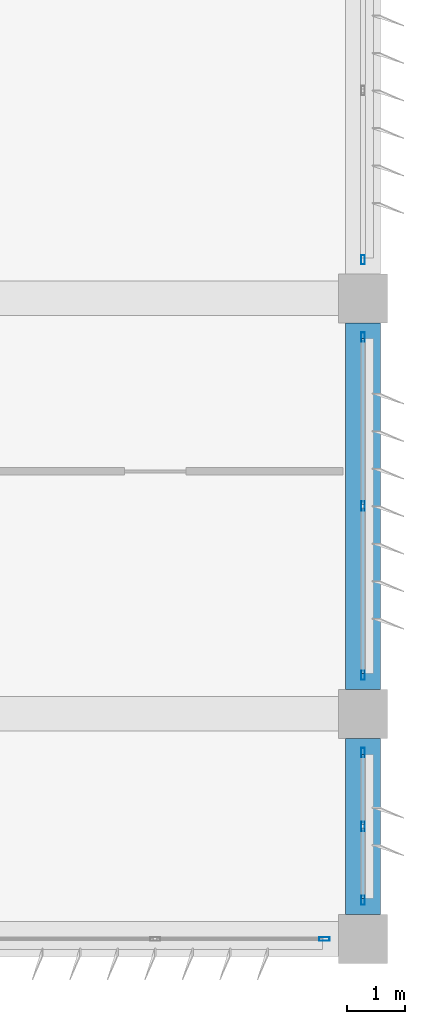
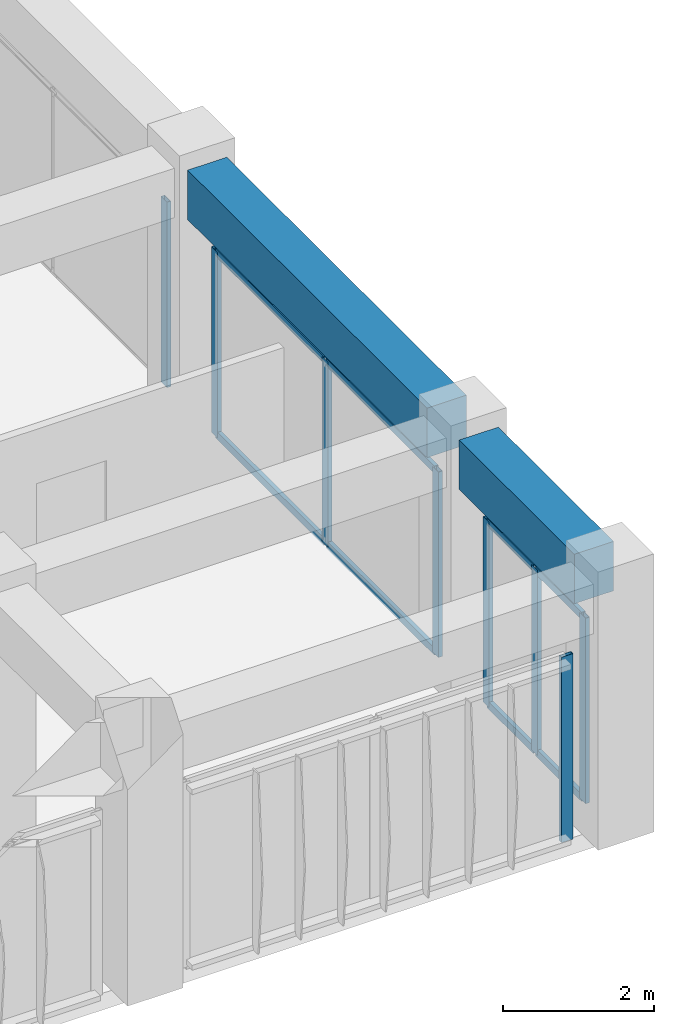
# One storey, part 21 of 48: 16 members, 2 beams, 4 elements without a shape of their own.
"""IFC4 building model written with IfcOpenShell, lengths in metres."""

from ifc_helpers import new_model, si_unit, direction, frame, origin, origin_2d, place, context, subcontext, project, spatial, rectangle, hollow_rectangle, extrude, material, material_profile, profile_set, type_object, element, aggregate, save


model = new_model("IFC4")

# Units and contexts
model_context = context("Model", 3, precision=1e-05, world=origin(), true_north=direction((0.0, 1.0)))
body_context = subcontext(model_context, "Body", "Model", "MODEL_VIEW")
ifc_project = project(units=[si_unit("LENGTHUNIT", "METRE"), si_unit("AREAUNIT", "SQUARE_METRE"), si_unit("VOLUMEUNIT", "CUBIC_METRE"), si_unit("PLANEANGLEUNIT", "RADIAN"), si_unit("MASSUNIT", "GRAM", prefix="KILO")], contexts=[model_context])

# Site, building, storey
site_placement = place(None, origin())
site = spatial("IfcSite", under=ifc_project, at=site_placement, CompositionType="ELEMENT")
building_placement = place(site_placement, origin())
building = spatial("IfcBuilding", under=site, at=building_placement, Name="Kazehaya Institute of Natural Sciences", CompositionType="ELEMENT")
storey_placement = place(building_placement, frame((0.0, 0.0, 19.800048828125)))
storey = spatial("IfcBuildingStorey", under=building, at=storey_placement, Name="L04", CompositionType="ELEMENT", Elevation=19.800048828125)

# Beams
ifc_material_1 = material(Name="Concrete Fc36", Category="concrete")
ifc_material_profile_1 = material_profile(ifc_material_1, rectangle(XDim=0.60009765625, YDim=0.800048828125, at=origin_2d()), Name="RC-600x800")
ifc_profile_set_1 = profile_set([ifc_material_profile_1], Name="Concrete Fc36")
beam_type = type_object("IfcBeamType", Name="BM-G-600x800", PredefinedType="BEAM", material=ifc_profile_set_1)
beam_1_placement = place(storey_placement, frame((119.39990234375, 10.52490234375, 3.829833984375), z_axis=(0.0, 1.0, 0.0), x_axis=(-1.0, 0.0, 0.0)))
element("IfcBeam", 1, at=beam_1_placement, inside=storey, type_object=beam_type, Name="L04 primary Y girder BMY-L04-1194-101", PredefinedType="BEAM", context=body_context, shape_type="SweptSolid", body=[
    extrude(rectangle(XDim=0.60009765625, YDim=0.800048828125, at=origin_2d()), origin(), (0.0, 0.0, 1.0), 3.050048828125),
])
beam_2_placement = place(storey_placement, frame((119.39990234375, 14.425048828125, 3.829833984375), z_axis=(0.0, 1.0, 0.0), x_axis=(-1.0, 0.0, 0.0)))
element("IfcBeam", 2, at=beam_2_placement, inside=storey, type_object=beam_type, Name="L04 primary Y girder BMY-L04-1194-140", PredefinedType="BEAM", context=body_context, shape_type="SweptSolid", body=[
    extrude(rectangle(XDim=0.60009765625, YDim=0.800048828125, at=origin_2d()), origin(), (0.0, 0.0, 1.0), 6.349853515625),
])

# Curtain wall, members
ifc_material_2 = material(Name="Aluminium alloy A6063S-T5", Category="aluminium")
curtain_wall_type_1 = type_object("IfcCurtainWallType", Name="CW-SYS-08", PredefinedType="NOTDEFINED", material=ifc_material_2)
curtain_wall_1_placement = place(storey_placement, origin())
curtain_wall_1 = element("IfcCurtainWall", 3, at=curtain_wall_1_placement, inside=storey, type_object=curtain_wall_type_1, Name="L04 unitised curtain wall CW-L04-087", PredefinedType="NOTDEFINED")
ifc_material_profile_2 = material_profile(ifc_material_2, hollow_rectangle(XDim=0.06005859375, YDim=0.159912109375, WallThickness=0.00390625, at=origin_2d()), Name="ALU-60x160x4")
ifc_profile_set_2 = profile_set([ifc_material_profile_2], Name="Aluminium alloy A6063S-T5")
member_type_1 = type_object("IfcMemberType", Name="CWM-160", PredefinedType="MULLION", material=ifc_profile_set_2)
member_1_placement = place(storey_placement, frame((119.39990234375, 13.330078125, 0.0), z_axis=(0.0, 0.0, 1.0), x_axis=(1.0, 0.0, 0.0)))
member_1 = element("IfcMember", 4, at=member_1_placement, type_object=member_type_1, Name="CW08 mullion 1", PredefinedType="MULLION", context=body_context, shape_type="SweptSolid", body=[
    extrude(hollow_rectangle(XDim=0.06005859375, YDim=0.159912109375, WallThickness=0.00390625, at=origin_2d()), origin(), (0.0, 0.0, 1.0), 3.0),
])
member_2_placement = place(storey_placement, frame((119.39990234375, 12.050048828125, 0.0), z_axis=(0.0, 0.0, 1.0), x_axis=(1.0, 0.0, 0.0)))
member_2 = element("IfcMember", 5, at=member_2_placement, type_object=member_type_1, Name="CW08 mullion 2", PredefinedType="MULLION", context=body_context, shape_type="SweptSolid", body=[
    extrude(hollow_rectangle(XDim=0.06005859375, YDim=0.159912109375, WallThickness=0.00390625, at=origin_2d()), origin(), (0.0, 0.0, 1.0), 3.0),
])
member_3_placement = place(storey_placement, frame((119.39990234375, 10.77001953125, 0.0), z_axis=(0.0, 0.0, 1.0), x_axis=(1.0, 0.0, 0.0)))
member_3 = element("IfcMember", 6, at=member_3_placement, type_object=member_type_1, Name="CW08 mullion 3", PredefinedType="MULLION", context=body_context, shape_type="SweptSolid", body=[
    extrude(hollow_rectangle(XDim=0.06005859375, YDim=0.159912109375, WallThickness=0.00390625, at=origin_2d()), origin(), (0.0, 0.0, 1.0), 3.0),
])

curtain_wall_type_2 = type_object("IfcCurtainWallType", Name="CW-SYS-10", PredefinedType="NOTDEFINED", material=ifc_material_2)
curtain_wall_2_placement = place(storey_placement, origin())
curtain_wall_2 = element("IfcCurtainWall", 7, at=curtain_wall_2_placement, inside=storey, type_object=curtain_wall_type_2, Name="L04 unitised curtain wall CW-L04-089", PredefinedType="NOTDEFINED")
member_4_placement = place(storey_placement, frame((119.39990234375, 20.530029296875, 0.0), z_axis=(0.0, 0.0, 1.0), x_axis=(1.0, 0.0, 0.0)))
member_4 = element("IfcMember", 8, at=member_4_placement, type_object=member_type_1, Name="CW10 mullion 1", PredefinedType="MULLION", context=body_context, shape_type="SweptSolid", body=[
    extrude(hollow_rectangle(XDim=0.06005859375, YDim=0.159912109375, WallThickness=0.00390625, at=origin_2d()), origin(), (0.0, 0.0, 1.0), 3.0),
])
member_5_placement = place(storey_placement, frame((119.39990234375, 17.60009765625, 0.0), z_axis=(0.0, 0.0, 1.0), x_axis=(1.0, 0.0, 0.0)))
member_5 = element("IfcMember", 9, at=member_5_placement, type_object=member_type_1, Name="CW10 mullion 2", PredefinedType="MULLION", context=body_context, shape_type="SweptSolid", body=[
    extrude(hollow_rectangle(XDim=0.06005859375, YDim=0.159912109375, WallThickness=0.00390625, at=origin_2d()), origin(), (0.0, 0.0, 1.0), 3.0),
])
member_6_placement = place(storey_placement, frame((119.39990234375, 14.669921875, 0.0), z_axis=(0.0, 0.0, 1.0), x_axis=(1.0, 0.0, 0.0)))
member_6 = element("IfcMember", 10, at=member_6_placement, type_object=member_type_1, Name="CW10 mullion 3", PredefinedType="MULLION", context=body_context, shape_type="SweptSolid", body=[
    extrude(hollow_rectangle(XDim=0.06005859375, YDim=0.159912109375, WallThickness=0.00390625, at=origin_2d()), origin(), (0.0, 0.0, 1.0), 3.0),
])

# Curtain wall, member
curtain_wall_3_placement = place(storey_placement, origin())
curtain_wall_3 = element("IfcCurtainWall", 11, at=curtain_wall_3_placement, inside=storey, type_object=curtain_wall_type_2, Name="L04 unitised curtain wall CW-L04-091", PredefinedType="NOTDEFINED")
member_7_placement = place(storey_placement, frame((119.39990234375, 21.8701171875, 0.0), z_axis=(0.0, 0.0, 1.0), x_axis=(1.0, 0.0, 0.0)))
member_7 = element("IfcMember", 12, at=member_7_placement, type_object=member_type_1, Name="CW10 mullion 3", PredefinedType="MULLION", context=body_context, shape_type="SweptSolid", body=[
    extrude(hollow_rectangle(XDim=0.06005859375, YDim=0.159912109375, WallThickness=0.00390625, at=origin_2d()), origin(), (0.0, 0.0, 1.0), 3.0),
])
aggregate(curtain_wall_3, [member_7])

curtain_wall_type_3 = type_object("IfcCurtainWallType", Name="CW-SYS-04", PredefinedType="NOTDEFINED", material=ifc_material_2)
curtain_wall_4_placement = place(storey_placement, origin())
curtain_wall_4 = element("IfcCurtainWall", 13, at=curtain_wall_4_placement, inside=storey, type_object=curtain_wall_type_3, Name="L04 unitised curtain wall CW-L04-075", PredefinedType="NOTDEFINED")
ifc_material_profile_3 = material_profile(ifc_material_2, hollow_rectangle(XDim=0.06005859375, YDim=0.179931640625, WallThickness=0.00390625, at=origin_2d()), Name="ALU-60x180x4")
ifc_profile_set_3 = profile_set([ifc_material_profile_3], Name="Aluminium alloy A6063S-T5")
member_type_2 = type_object("IfcMemberType", Name="CWM-180", PredefinedType="MULLION", material=ifc_profile_set_3)
member_8_placement = place(storey_placement, frame((118.72998046875, 10.10009765625, 0.0), z_axis=(0.0, 0.0, 1.0), x_axis=(0.0, -1.0, 0.0)))
member_8 = element("IfcMember", 14, at=member_8_placement, type_object=member_type_2, Name="CW04 mullion 1", PredefinedType="MULLION", context=body_context, shape_type="SweptSolid", body=[
    extrude(hollow_rectangle(XDim=0.06005859375, YDim=0.179931640625, WallThickness=0.00390625, at=origin_2d()), origin(), (0.0, 0.0, 1.0), 3.0),
])
aggregate(curtain_wall_4, [member_8])

# Member
ifc_material_profile_4 = material_profile(ifc_material_2, hollow_rectangle(XDim=0.06005859375, YDim=0.1201171875, WallThickness=0.00341796875, at=origin_2d()), Name="ALU-60x120x3.5")
ifc_profile_set_4 = profile_set([ifc_material_profile_4], Name="Aluminium alloy A6063S-T5")
member_type_3 = type_object("IfcMemberType", Name="CWT-120", PredefinedType="USERDEFINED", material=ifc_profile_set_4)
member_9_placement = place(storey_placement, frame((119.39990234375, 13.300048828125, 0.030029296875), z_axis=(0.0, -1.0, 0.0), x_axis=(1.0, 0.0, 0.0)))
member_9 = element("IfcMember", 15, at=member_9_placement, type_object=member_type_3, Name="CW08 transom 1.1", ObjectType="TRANSOM", PredefinedType="USERDEFINED", context=body_context, shape_type="SweptSolid", body=[
    extrude(hollow_rectangle(XDim=0.06005859375, YDim=0.1201171875, WallThickness=0.00341796875, at=origin_2d()), origin(), (0.0, 0.0, 1.0), 1.219970703125),
])

member_10_placement = place(storey_placement, frame((119.39990234375, 13.300048828125, 2.969970703125), z_axis=(0.0, -1.0, 0.0), x_axis=(1.0, 0.0, 0.0)))
member_10 = element("IfcMember", 16, at=member_10_placement, type_object=member_type_3, Name="CW08 transom 1.2", ObjectType="TRANSOM", PredefinedType="USERDEFINED", context=body_context, shape_type="SweptSolid", body=[
    extrude(hollow_rectangle(XDim=0.06005859375, YDim=0.1201171875, WallThickness=0.00341796875, at=origin_2d()), origin(), (0.0, 0.0, 1.0), 1.219970703125),
])

member_11_placement = place(storey_placement, frame((119.39990234375, 12.02001953125, 0.030029296875), z_axis=(0.0, -1.0, 0.0), x_axis=(1.0, 0.0, 0.0)))
member_11 = element("IfcMember", 17, at=member_11_placement, type_object=member_type_3, Name="CW08 transom 2.1", ObjectType="TRANSOM", PredefinedType="USERDEFINED", context=body_context, shape_type="SweptSolid", body=[
    extrude(hollow_rectangle(XDim=0.06005859375, YDim=0.1201171875, WallThickness=0.00341796875, at=origin_2d()), origin(), (0.0, 0.0, 1.0), 1.219970703125),
])

member_12_placement = place(storey_placement, frame((119.39990234375, 12.02001953125, 2.969970703125), z_axis=(0.0, -1.0, 0.0), x_axis=(1.0, 0.0, 0.0)))
member_12 = element("IfcMember", 18, at=member_12_placement, type_object=member_type_3, Name="CW08 transom 2.2", ObjectType="TRANSOM", PredefinedType="USERDEFINED", context=body_context, shape_type="SweptSolid", body=[
    extrude(hollow_rectangle(XDim=0.06005859375, YDim=0.1201171875, WallThickness=0.00341796875, at=origin_2d()), origin(), (0.0, 0.0, 1.0), 1.219970703125),
])

aggregate(curtain_wall_1, [member_1, member_2, member_3, member_9, member_10, member_11, member_12])

member_13_placement = place(storey_placement, frame((119.39990234375, 20.5, 0.030029296875), z_axis=(0.0, -1.0, 0.0), x_axis=(1.0, 0.0, 0.0)))
member_13 = element("IfcMember", 19, at=member_13_placement, type_object=member_type_3, Name="CW10 transom 1.1", ObjectType="TRANSOM", PredefinedType="USERDEFINED", context=body_context, shape_type="SweptSolid", body=[
    extrude(hollow_rectangle(XDim=0.06005859375, YDim=0.1201171875, WallThickness=0.00341796875, at=origin_2d()), origin(), (0.0, 0.0, 1.0), 2.8701171875),
])

member_14_placement = place(storey_placement, frame((119.39990234375, 20.5, 2.969970703125), z_axis=(0.0, -1.0, 0.0), x_axis=(1.0, 0.0, 0.0)))
member_14 = element("IfcMember", 20, at=member_14_placement, type_object=member_type_3, Name="CW10 transom 1.2", ObjectType="TRANSOM", PredefinedType="USERDEFINED", context=body_context, shape_type="SweptSolid", body=[
    extrude(hollow_rectangle(XDim=0.06005859375, YDim=0.1201171875, WallThickness=0.00341796875, at=origin_2d()), origin(), (0.0, 0.0, 1.0), 2.8701171875),
])

member_15_placement = place(storey_placement, frame((119.39990234375, 17.570068359375, 0.030029296875), z_axis=(0.0, -1.0, 0.0), x_axis=(1.0, 0.0, 0.0)))
member_15 = element("IfcMember", 21, at=member_15_placement, type_object=member_type_3, Name="CW10 transom 2.1", ObjectType="TRANSOM", PredefinedType="USERDEFINED", context=body_context, shape_type="SweptSolid", body=[
    extrude(hollow_rectangle(XDim=0.06005859375, YDim=0.1201171875, WallThickness=0.00341796875, at=origin_2d()), origin(), (0.0, 0.0, 1.0), 2.8701171875),
])

member_16_placement = place(storey_placement, frame((119.39990234375, 17.570068359375, 2.969970703125), z_axis=(0.0, -1.0, 0.0), x_axis=(1.0, 0.0, 0.0)))
member_16 = element("IfcMember", 22, at=member_16_placement, type_object=member_type_3, Name="CW10 transom 2.2", ObjectType="TRANSOM", PredefinedType="USERDEFINED", context=body_context, shape_type="SweptSolid", body=[
    extrude(hollow_rectangle(XDim=0.06005859375, YDim=0.1201171875, WallThickness=0.00341796875, at=origin_2d()), origin(), (0.0, 0.0, 1.0), 2.8701171875),
])

aggregate(curtain_wall_2, [member_4, member_5, member_6, member_13, member_14, member_15, member_16])

save(model, "model.ifc")
